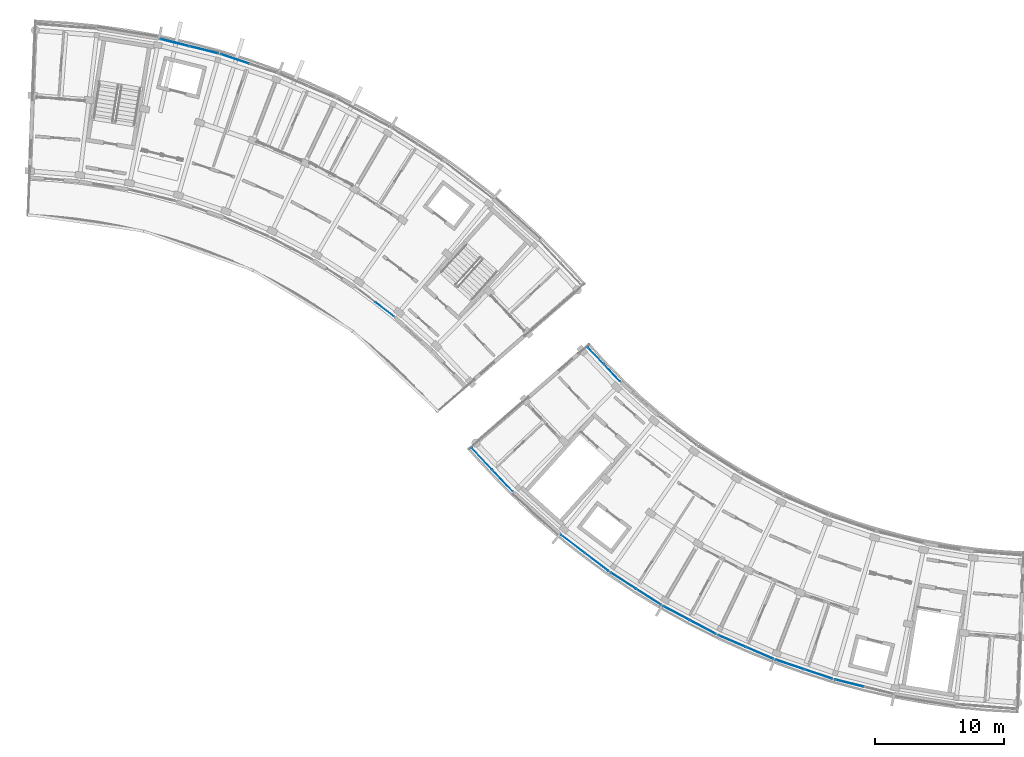
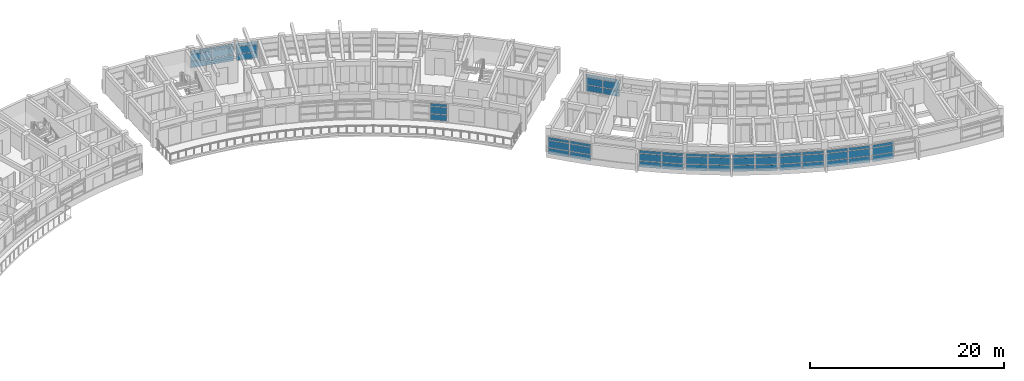
# One storey, part 17 of 38: 57 plates, 11 elements without a shape of their own.
"""IFC4 building model written with IfcOpenShell, lengths in metres."""

from ifc_helpers import new_model, si_unit, direction, frame, origin, origin_2d, place, context, subcontext, project, spatial, rectangle, extrude, material, layer, layer_set, type_object, element, aggregate, save


model = new_model("IFC4")

# Units and contexts
model_context = context("Model", 3, precision=1e-05, world=origin(), true_north=direction((0.0, 1.0)))
body_context = subcontext(model_context, "Body", "Model", "MODEL_VIEW")
ifc_project = project(units=[si_unit("LENGTHUNIT", "METRE"), si_unit("AREAUNIT", "SQUARE_METRE"), si_unit("VOLUMEUNIT", "CUBIC_METRE"), si_unit("PLANEANGLEUNIT", "RADIAN"), si_unit("MASSUNIT", "GRAM", prefix="KILO")], contexts=[model_context])

# Site, building, storey
site_placement = place(None, origin())
site = spatial("IfcSite", under=ifc_project, at=site_placement, CompositionType="ELEMENT")
building_placement = place(site_placement, origin())
building = spatial("IfcBuilding", under=site, at=building_placement, Name="Zimvara Arc Housing Community", CompositionType="ELEMENT")
storey_placement = place(building_placement, frame((0.0, 0.0, 29.800048828125)))
storey = spatial("IfcBuildingStorey", under=building, at=storey_placement, Name="L09", CompositionType="ELEMENT", Elevation=29.800048828125)

# Curtain wall, plates
ifc_material_1 = material(Name="Anodised Aluminium AW-6063", Category="aluminium")
curtain_wall_type_1 = type_object("IfcCurtainWallType", Name="CW-SYS-04", PredefinedType="USERDEFINED", material=ifc_material_1)
curtain_wall_1_placement = place(storey_placement, origin())
curtain_wall_1 = element("IfcCurtainWall", 1, at=curtain_wall_1_placement, inside=storey, type_object=curtain_wall_type_1, Name="cw:blkB:L09:out:b2", ObjectType="CURTAIN WALL", PredefinedType="USERDEFINED")
ifc_material_2 = material(Name="Pale-Gold Anodised Aluminium Spandrel Panel", Category="aluminium")
ifc_layer_1 = layer(ifc_material_2, 0.035888671875)
ifc_layer_set_1 = layer_set([ifc_layer_1], Name="Pale-Gold Anodised Aluminium Spandrel Panel")
plate_type_1 = type_object("IfcPlateType", Name="CWP-GLD-36", PredefinedType="CURTAIN_PANEL", material=ifc_layer_set_1)
plate_1_placement = place(storey_placement, frame((58.12109375, 102.373291015625, 0.06494140625), z_axis=(0.0, 0.0, 1.0), x_axis=(0.970716068627, -0.240229711131, 0.0)))
plate_1 = element("IfcPlate", 2, at=plate_1_placement, type_object=plate_type_1, Name="CW04 panel 1.1", PredefinedType="CURTAIN_PANEL", context=body_context, shape_type="SweptSolid", body=[
    extrude(rectangle(XDim=2.266845703125, YDim=0.035888671875, at=origin_2d()), origin(), (0.0, 0.0, 1.0), 0.75244140625),
])
plate_2_placement = place(storey_placement, frame((58.12109375, 102.373291015625, 0.88232421875), z_axis=(0.0, 0.0, 1.0), x_axis=(0.970716068627, -0.240229711131, 0.0)))
plate_2 = element("IfcPlate", 3, at=plate_2_placement, type_object=plate_type_1, Name="CW04 panel 1.2", PredefinedType="CURTAIN_PANEL", context=body_context, shape_type="SweptSolid", body=[
    extrude(rectangle(XDim=2.266845703125, YDim=0.035888671875, at=origin_2d()), origin(), (0.0, 0.0, 1.0), 0.885009765625),
])
plate_3_placement = place(storey_placement, frame((58.12109375, 102.373291015625, 1.83251953125), z_axis=(0.0, 0.0, 1.0), x_axis=(0.970716068627, -0.240229711131, 0.0)))
plate_3 = element("IfcPlate", 4, at=plate_3_placement, type_object=plate_type_1, Name="CW04 panel 1.3", PredefinedType="CURTAIN_PANEL", context=body_context, shape_type="SweptSolid", body=[
    extrude(rectangle(XDim=2.266845703125, YDim=0.035888671875, at=origin_2d()), origin(), (0.0, 0.0, 1.0), 0.3525390625),
])
plate_4_placement = place(storey_placement, frame((60.384765625, 101.81298828125, 0.06494140625), z_axis=(0.0, 0.0, 1.0), x_axis=(0.970716068627, -0.240229711131, 0.0)))
plate_4 = element("IfcPlate", 5, at=plate_4_placement, type_object=plate_type_1, Name="CW04 panel 2.1", PredefinedType="CURTAIN_PANEL", context=body_context, shape_type="SweptSolid", body=[
    extrude(rectangle(XDim=2.266845703125, YDim=0.035888671875, at=origin_2d()), origin(), (0.0, 0.0, 1.0), 0.75244140625),
])
plate_5_placement = place(storey_placement, frame((60.384765625, 101.81298828125, 0.88232421875), z_axis=(0.0, 0.0, 1.0), x_axis=(0.970716068627, -0.240229711131, 0.0)))
plate_5 = element("IfcPlate", 6, at=plate_5_placement, type_object=plate_type_1, Name="CW04 panel 2.2", PredefinedType="CURTAIN_PANEL", context=body_context, shape_type="SweptSolid", body=[
    extrude(rectangle(XDim=2.266845703125, YDim=0.035888671875, at=origin_2d()), origin(), (0.0, 0.0, 1.0), 0.885009765625),
])
plate_6_placement = place(storey_placement, frame((60.384765625, 101.81298828125, 1.83251953125), z_axis=(0.0, 0.0, 1.0), x_axis=(0.970716068627, -0.240229711131, 0.0)))
plate_6 = element("IfcPlate", 7, at=plate_6_placement, type_object=plate_type_1, Name="CW04 panel 2.3", PredefinedType="CURTAIN_PANEL", context=body_context, shape_type="SweptSolid", body=[
    extrude(rectangle(XDim=2.266845703125, YDim=0.035888671875, at=origin_2d()), origin(), (0.0, 0.0, 1.0), 0.3525390625),
])
aggregate(curtain_wall_1, [plate_1, plate_2, plate_3, plate_4, plate_5, plate_6])

ifc_material_3 = material(Name="Anodised Aluminium AW-6063", Category="aluminium")
curtain_wall_type_2 = type_object("IfcCurtainWallType", Name="CW-SYS-05", PredefinedType="USERDEFINED", material=ifc_material_3)
curtain_wall_2_placement = place(storey_placement, origin())
curtain_wall_2 = element("IfcCurtainWall", 8, at=curtain_wall_2_placement, inside=storey, type_object=curtain_wall_type_2, Name="cw:blkB:L09:in:b7", ObjectType="CURTAIN WALL", PredefinedType="USERDEFINED")
ifc_material_4 = material(Name="Solar Control Low-E Double Glazing", Category="glass")
ifc_layer_2 = layer(ifc_material_4, 0.02392578125)
ifc_layer_set_2 = layer_set([ifc_layer_2], Name="Solar Control Low-E Double Glazing")
plate_type_2 = type_object("IfcPlateType", Name="CWP-GLZ-24", PredefinedType="CURTAIN_PANEL", material=ifc_layer_set_2)
plate_7_placement = place(storey_placement, frame((74.4453125, 81.63134765625, 0.06494140625), z_axis=(0.0, 0.0, 1.0), x_axis=(0.795473930895, -0.605987809503, 0.0)))
plate_7 = element("IfcPlate", 9, at=plate_7_placement, type_object=plate_type_2, Name="CW05 panel 2.1", PredefinedType="CURTAIN_PANEL", context=body_context, shape_type="SweptSolid", body=[
    extrude(rectangle(XDim=1.778564453125, YDim=0.02392578125, at=origin_2d()), origin(), (0.0, 0.0, 1.0), 0.75244140625),
])
plate_8_placement = place(storey_placement, frame((74.4453125, 81.63134765625, 0.88232421875), z_axis=(0.0, 0.0, 1.0), x_axis=(0.795473930895, -0.605987809503, 0.0)))
plate_8 = element("IfcPlate", 10, at=plate_8_placement, type_object=plate_type_2, Name="CW05 panel 2.2", PredefinedType="CURTAIN_PANEL", context=body_context, shape_type="SweptSolid", body=[
    extrude(rectangle(XDim=1.778564453125, YDim=0.02392578125, at=origin_2d()), origin(), (0.0, 0.0, 1.0), 0.885009765625),
])
plate_9_placement = place(storey_placement, frame((74.4453125, 81.63134765625, 1.83251953125), z_axis=(0.0, 0.0, 1.0), x_axis=(0.795473930895, -0.605987809503, 0.0)))
plate_9 = element("IfcPlate", 11, at=plate_9_placement, type_object=plate_type_2, Name="CW05 panel 2.3", PredefinedType="CURTAIN_PANEL", context=body_context, shape_type="SweptSolid", body=[
    extrude(rectangle(XDim=1.778564453125, YDim=0.02392578125, at=origin_2d()), origin(), (0.0, 0.0, 1.0), 0.3525390625),
])
aggregate(curtain_wall_2, [plate_7, plate_8, plate_9])

curtain_wall_3_placement = place(storey_placement, origin())
curtain_wall_3 = element("IfcCurtainWall", 12, at=curtain_wall_3_placement, inside=storey, type_object=curtain_wall_type_2, Name="cw:blkC:L09:out:b0", ObjectType="CURTAIN WALL", PredefinedType="USERDEFINED")
plate_10_placement = place(storey_placement, frame((82.029052734375, 69.988037109375, 0.06494140625), z_axis=(0.0, 0.0, 1.0), x_axis=(0.686326416495, -0.727293647725, 0.0)))
plate_10 = element("IfcPlate", 13, at=plate_10_placement, type_object=plate_type_2, Name="CW05 panel 1.1", PredefinedType="CURTAIN_PANEL", context=body_context, shape_type="SweptSolid", body=[
    extrude(rectangle(XDim=2.266845703125, YDim=0.02392578125, at=origin_2d()), origin(), (0.0, 0.0, 1.0), 0.75244140625),
])
plate_11_placement = place(storey_placement, frame((82.029052734375, 69.988037109375, 0.88232421875), z_axis=(0.0, 0.0, 1.0), x_axis=(0.686326416495, -0.727293647725, 0.0)))
plate_11 = element("IfcPlate", 14, at=plate_11_placement, type_object=plate_type_2, Name="CW05 panel 1.2", PredefinedType="CURTAIN_PANEL", context=body_context, shape_type="SweptSolid", body=[
    extrude(rectangle(XDim=2.266845703125, YDim=0.02392578125, at=origin_2d()), origin(), (0.0, 0.0, 1.0), 0.885009765625),
])
plate_12_placement = place(storey_placement, frame((82.029052734375, 69.988037109375, 1.83251953125), z_axis=(0.0, 0.0, 1.0), x_axis=(0.686326416495, -0.727293647725, 0.0)))
plate_12 = element("IfcPlate", 15, at=plate_12_placement, type_object=plate_type_2, Name="CW05 panel 1.3", PredefinedType="CURTAIN_PANEL", context=body_context, shape_type="SweptSolid", body=[
    extrude(rectangle(XDim=2.266845703125, YDim=0.02392578125, at=origin_2d()), origin(), (0.0, 0.0, 1.0), 0.3525390625),
])
plate_13_placement = place(storey_placement, frame((83.629638671875, 68.2919921875, 0.06494140625), z_axis=(0.0, 0.0, 1.0), x_axis=(0.686326416495, -0.727293647725, 0.0)))
plate_13 = element("IfcPlate", 16, at=plate_13_placement, type_object=plate_type_2, Name="CW05 panel 2.1", PredefinedType="CURTAIN_PANEL", context=body_context, shape_type="SweptSolid", body=[
    extrude(rectangle(XDim=2.266845703125, YDim=0.02392578125, at=origin_2d()), origin(), (0.0, 0.0, 1.0), 0.75244140625),
])
plate_14_placement = place(storey_placement, frame((83.629638671875, 68.2919921875, 0.88232421875), z_axis=(0.0, 0.0, 1.0), x_axis=(0.686326416495, -0.727293647725, 0.0)))
plate_14 = element("IfcPlate", 17, at=plate_14_placement, type_object=plate_type_2, Name="CW05 panel 2.2", PredefinedType="CURTAIN_PANEL", context=body_context, shape_type="SweptSolid", body=[
    extrude(rectangle(XDim=2.266845703125, YDim=0.02392578125, at=origin_2d()), origin(), (0.0, 0.0, 1.0), 0.885009765625),
])
plate_15_placement = place(storey_placement, frame((83.629638671875, 68.2919921875, 1.83251953125), z_axis=(0.0, 0.0, 1.0), x_axis=(0.686326416495, -0.727293647725, 0.0)))
plate_15 = element("IfcPlate", 18, at=plate_15_placement, type_object=plate_type_2, Name="CW05 panel 2.3", PredefinedType="CURTAIN_PANEL", context=body_context, shape_type="SweptSolid", body=[
    extrude(rectangle(XDim=2.266845703125, YDim=0.02392578125, at=origin_2d()), origin(), (0.0, 0.0, 1.0), 0.3525390625),
])
aggregate(curtain_wall_3, [plate_10, plate_11, plate_12, plate_13, plate_14, plate_15])

ifc_material_5 = material(Name="Anodised Aluminium AW-6063", Category="aluminium")
curtain_wall_type_3 = type_object("IfcCurtainWallType", Name="CW-SYS-01", PredefinedType="USERDEFINED", material=ifc_material_5)
curtain_wall_4_placement = place(storey_placement, origin())
curtain_wall_4 = element("IfcCurtainWall", 19, at=curtain_wall_4_placement, inside=storey, type_object=curtain_wall_type_3, Name="cw:blkC:L09:out:b3", ObjectType="CURTAIN WALL", PredefinedType="USERDEFINED")
plate_16_placement = place(storey_placement, frame((93.014892578125, 60.5166015625, 0.06494140625), z_axis=(0.0, 0.0, 1.0), x_axis=(0.842264410931, -0.539064617721, 0.0)))
plate_16 = element("IfcPlate", 20, at=plate_16_placement, type_object=plate_type_2, Name="CW01 panel 1.1", PredefinedType="CURTAIN_PANEL", context=body_context, shape_type="SweptSolid", body=[
    extrude(rectangle(XDim=2.266845703125, YDim=0.02392578125, at=origin_2d()), origin(), (0.0, 0.0, 1.0), 0.75244140625),
])
plate_17_placement = place(storey_placement, frame((93.014892578125, 60.5166015625, 0.88232421875), z_axis=(0.0, 0.0, 1.0), x_axis=(0.842264410931, -0.539064617721, 0.0)))
plate_17 = element("IfcPlate", 21, at=plate_17_placement, type_object=plate_type_2, Name="CW01 panel 1.2", PredefinedType="CURTAIN_PANEL", context=body_context, shape_type="SweptSolid", body=[
    extrude(rectangle(XDim=2.266845703125, YDim=0.02392578125, at=origin_2d()), origin(), (0.0, 0.0, 1.0), 0.885009765625),
])
plate_18_placement = place(storey_placement, frame((93.014892578125, 60.5166015625, 1.83251953125), z_axis=(0.0, 0.0, 1.0), x_axis=(0.842264410931, -0.539064617721, 0.0)))
plate_18 = element("IfcPlate", 22, at=plate_18_placement, type_object=plate_type_2, Name="CW01 panel 1.3", PredefinedType="CURTAIN_PANEL", context=body_context, shape_type="SweptSolid", body=[
    extrude(rectangle(XDim=2.266845703125, YDim=0.02392578125, at=origin_2d()), origin(), (0.0, 0.0, 1.0), 0.3525390625),
])
plate_19_placement = place(storey_placement, frame((94.97900390625, 59.259521484375, 0.06494140625), z_axis=(0.0, 0.0, 1.0), x_axis=(0.842264410931, -0.539064617721, 0.0)))
plate_19 = element("IfcPlate", 23, at=plate_19_placement, type_object=plate_type_2, Name="CW01 panel 2.1", PredefinedType="CURTAIN_PANEL", context=body_context, shape_type="SweptSolid", body=[
    extrude(rectangle(XDim=2.266845703125, YDim=0.02392578125, at=origin_2d()), origin(), (0.0, 0.0, 1.0), 0.75244140625),
])
plate_20_placement = place(storey_placement, frame((94.97900390625, 59.259521484375, 0.88232421875), z_axis=(0.0, 0.0, 1.0), x_axis=(0.842264410931, -0.539064617721, 0.0)))
plate_20 = element("IfcPlate", 24, at=plate_20_placement, type_object=plate_type_2, Name="CW01 panel 2.2", PredefinedType="CURTAIN_PANEL", context=body_context, shape_type="SweptSolid", body=[
    extrude(rectangle(XDim=2.266845703125, YDim=0.02392578125, at=origin_2d()), origin(), (0.0, 0.0, 1.0), 0.885009765625),
])
plate_21_placement = place(storey_placement, frame((94.97900390625, 59.259521484375, 1.83251953125), z_axis=(0.0, 0.0, 1.0), x_axis=(0.842264410931, -0.539064617721, 0.0)))
plate_21 = element("IfcPlate", 25, at=plate_21_placement, type_object=plate_type_2, Name="CW01 panel 2.3", PredefinedType="CURTAIN_PANEL", context=body_context, shape_type="SweptSolid", body=[
    extrude(rectangle(XDim=2.266845703125, YDim=0.02392578125, at=origin_2d()), origin(), (0.0, 0.0, 1.0), 0.3525390625),
])
aggregate(curtain_wall_4, [plate_16, plate_17, plate_18, plate_19, plate_20, plate_21])

curtain_wall_5_placement = place(storey_placement, origin())
curtain_wall_5 = element("IfcCurtainWall", 26, at=curtain_wall_5_placement, inside=storey, type_object=curtain_wall_type_2, Name="cw:blkC:L09:out:b5", ObjectType="CURTAIN WALL", PredefinedType="USERDEFINED")
plate_22_placement = place(storey_placement, frame((101.47900390625, 55.812255859375, 0.06494140625), z_axis=(0.0, 0.0, 1.0), x_axis=(0.918722299363, -0.394904211998, 0.0)))
plate_22 = element("IfcPlate", 27, at=plate_22_placement, type_object=plate_type_2, Name="CW05 panel 1.1", PredefinedType="CURTAIN_PANEL", context=body_context, shape_type="SweptSolid", body=[
    extrude(rectangle(XDim=2.266845703125, YDim=0.02392578125, at=origin_2d()), origin(), (0.0, 0.0, 1.0), 0.75244140625),
])
plate_23_placement = place(storey_placement, frame((101.47900390625, 55.812255859375, 0.88232421875), z_axis=(0.0, 0.0, 1.0), x_axis=(0.918722299363, -0.394904211998, 0.0)))
plate_23 = element("IfcPlate", 28, at=plate_23_placement, type_object=plate_type_2, Name="CW05 panel 1.2", PredefinedType="CURTAIN_PANEL", context=body_context, shape_type="SweptSolid", body=[
    extrude(rectangle(XDim=2.266845703125, YDim=0.02392578125, at=origin_2d()), origin(), (0.0, 0.0, 1.0), 0.885009765625),
])
plate_24_placement = place(storey_placement, frame((101.47900390625, 55.812255859375, 1.83251953125), z_axis=(0.0, 0.0, 1.0), x_axis=(0.918722299363, -0.394904211998, 0.0)))
plate_24 = element("IfcPlate", 29, at=plate_24_placement, type_object=plate_type_2, Name="CW05 panel 1.3", PredefinedType="CURTAIN_PANEL", context=body_context, shape_type="SweptSolid", body=[
    extrude(rectangle(XDim=2.266845703125, YDim=0.02392578125, at=origin_2d()), origin(), (0.0, 0.0, 1.0), 0.3525390625),
])
plate_25_placement = place(storey_placement, frame((103.621337890625, 54.891357421875, 0.06494140625), z_axis=(0.0, 0.0, 1.0), x_axis=(0.918722299363, -0.394904211998, 0.0)))
plate_25 = element("IfcPlate", 30, at=plate_25_placement, type_object=plate_type_2, Name="CW05 panel 2.1", PredefinedType="CURTAIN_PANEL", context=body_context, shape_type="SweptSolid", body=[
    extrude(rectangle(XDim=2.266845703125, YDim=0.02392578125, at=origin_2d()), origin(), (0.0, 0.0, 1.0), 0.75244140625),
])
plate_26_placement = place(storey_placement, frame((103.621337890625, 54.891357421875, 0.88232421875), z_axis=(0.0, 0.0, 1.0), x_axis=(0.918722299363, -0.394904211998, 0.0)))
plate_26 = element("IfcPlate", 31, at=plate_26_placement, type_object=plate_type_2, Name="CW05 panel 2.2", PredefinedType="CURTAIN_PANEL", context=body_context, shape_type="SweptSolid", body=[
    extrude(rectangle(XDim=2.266845703125, YDim=0.02392578125, at=origin_2d()), origin(), (0.0, 0.0, 1.0), 0.885009765625),
])
plate_27_placement = place(storey_placement, frame((103.621337890625, 54.891357421875, 1.83251953125), z_axis=(0.0, 0.0, 1.0), x_axis=(0.918722299363, -0.394904211998, 0.0)))
plate_27 = element("IfcPlate", 32, at=plate_27_placement, type_object=plate_type_2, Name="CW05 panel 2.3", PredefinedType="CURTAIN_PANEL", context=body_context, shape_type="SweptSolid", body=[
    extrude(rectangle(XDim=2.266845703125, YDim=0.02392578125, at=origin_2d()), origin(), (0.0, 0.0, 1.0), 0.3525390625),
])
aggregate(curtain_wall_5, [plate_22, plate_23, plate_24, plate_25, plate_26, plate_27])

curtain_wall_6_placement = place(storey_placement, origin())
curtain_wall_6 = element("IfcCurtainWall", 33, at=curtain_wall_6_placement, inside=storey, type_object=curtain_wall_type_3, Name="cw:blkC:L09:out:b7", ObjectType="CURTAIN WALL", PredefinedType="USERDEFINED")
plate_28_placement = place(storey_placement, frame((110.59521484375, 52.547119140625, 0.06494140625), z_axis=(0.0, 0.0, 1.0), x_axis=(0.970716068627, -0.240229711131, 0.0)))
plate_28 = element("IfcPlate", 34, at=plate_28_placement, type_object=plate_type_2, Name="CW01 panel 1.1", PredefinedType="CURTAIN_PANEL", context=body_context, shape_type="SweptSolid", body=[
    extrude(rectangle(XDim=2.266845703125, YDim=0.02392578125, at=origin_2d()), origin(), (0.0, 0.0, 1.0), 0.75244140625),
])
plate_29_placement = place(storey_placement, frame((110.59521484375, 52.547119140625, 0.88232421875), z_axis=(0.0, 0.0, 1.0), x_axis=(0.970716068627, -0.240229711131, 0.0)))
plate_29 = element("IfcPlate", 35, at=plate_29_placement, type_object=plate_type_2, Name="CW01 panel 1.2", PredefinedType="CURTAIN_PANEL", context=body_context, shape_type="SweptSolid", body=[
    extrude(rectangle(XDim=2.266845703125, YDim=0.02392578125, at=origin_2d()), origin(), (0.0, 0.0, 1.0), 0.885009765625),
])
plate_30_placement = place(storey_placement, frame((110.59521484375, 52.547119140625, 1.83251953125), z_axis=(0.0, 0.0, 1.0), x_axis=(0.970716068627, -0.240229711131, 0.0)))
plate_30 = element("IfcPlate", 36, at=plate_30_placement, type_object=plate_type_2, Name="CW01 panel 1.3", PredefinedType="CURTAIN_PANEL", context=body_context, shape_type="SweptSolid", body=[
    extrude(rectangle(XDim=2.266845703125, YDim=0.02392578125, at=origin_2d()), origin(), (0.0, 0.0, 1.0), 0.3525390625),
])
aggregate(curtain_wall_6, [plate_28, plate_29, plate_30])

ifc_material_6 = material(Name="Anodised Aluminium AW-6063", Category="aluminium")
curtain_wall_type_4 = type_object("IfcCurtainWallType", Name="CW-SYS-06", PredefinedType="USERDEFINED", material=ifc_material_6)
curtain_wall_7_placement = place(storey_placement, origin())
curtain_wall_7 = element("IfcCurtainWall", 37, at=curtain_wall_7_placement, inside=storey, type_object=curtain_wall_type_4, Name="cw:blkB:L09:out:b3", ObjectType="CURTAIN WALL", PredefinedType="USERDEFINED")
ifc_material_7 = material(Name="Solar Control Low-E Double Glazing", Category="glass")
ifc_layer_3 = layer(ifc_material_7, 0.028076171875)
ifc_layer_set_3 = layer_set([ifc_layer_3], Name="Solar Control Low-E Double Glazing")
plate_type_3 = type_object("IfcPlateType", Name="CWP-GLZ-28", PredefinedType="CURTAIN_PANEL", material=ifc_layer_set_3)
plate_31_placement = place(storey_placement, frame((62.799072265625, 101.109619140625, 0.06494140625), z_axis=(0.0, 0.0, 1.0), x_axis=(0.947879647164, -0.318628583921, 0.0)))
plate_31 = element("IfcPlate", 38, at=plate_31_placement, type_object=plate_type_3, Name="CW06 panel 1.1", PredefinedType="CURTAIN_PANEL", context=body_context, shape_type="SweptSolid", body=[
    extrude(rectangle(XDim=2.266845703125, YDim=0.028076171875, at=origin_2d()), origin(), (0.0, 0.0, 1.0), 0.75244140625),
])
plate_32_placement = place(storey_placement, frame((62.799072265625, 101.109619140625, 0.88232421875), z_axis=(0.0, 0.0, 1.0), x_axis=(0.947879647164, -0.318628583921, 0.0)))
plate_32 = element("IfcPlate", 39, at=plate_32_placement, type_object=plate_type_3, Name="CW06 panel 1.2", PredefinedType="CURTAIN_PANEL", context=body_context, shape_type="SweptSolid", body=[
    extrude(rectangle(XDim=2.266845703125, YDim=0.028076171875, at=origin_2d()), origin(), (0.0, 0.0, 1.0), 0.885009765625),
])
plate_33_placement = place(storey_placement, frame((62.799072265625, 101.109619140625, 1.83251953125), z_axis=(0.0, 0.0, 1.0), x_axis=(0.947879647164, -0.318628583921, 0.0)))
plate_33 = element("IfcPlate", 40, at=plate_33_placement, type_object=plate_type_3, Name="CW06 panel 1.3", PredefinedType="CURTAIN_PANEL", context=body_context, shape_type="SweptSolid", body=[
    extrude(rectangle(XDim=2.266845703125, YDim=0.028076171875, at=origin_2d()), origin(), (0.0, 0.0, 1.0), 0.3525390625),
])
aggregate(curtain_wall_7, [plate_31, plate_32, plate_33])

curtain_wall_8_placement = place(storey_placement, origin())
curtain_wall_8 = element("IfcCurtainWall", 41, at=curtain_wall_8_placement, inside=storey, type_object=curtain_wall_type_4, Name="cw:blkC:L09:in:b0", ObjectType="CURTAIN WALL", PredefinedType="USERDEFINED")
plate_34_placement = place(storey_placement, frame((90.887939453125, 78.011962890625, 0.06494140625), z_axis=(0.0, 0.0, 1.0), x_axis=(0.686326336018, -0.727293723669, 0.0)))
plate_34 = element("IfcPlate", 42, at=plate_34_placement, type_object=plate_type_3, Name="CW06 panel 1.1", PredefinedType="CURTAIN_PANEL", context=body_context, shape_type="SweptSolid", body=[
    extrude(rectangle(XDim=1.778564453125, YDim=0.028076171875, at=origin_2d()), origin(), (0.0, 0.0, 1.0), 0.75244140625),
])
plate_35_placement = place(storey_placement, frame((90.887939453125, 78.011962890625, 0.88232421875), z_axis=(0.0, 0.0, 1.0), x_axis=(0.686326336018, -0.727293723669, 0.0)))
plate_35 = element("IfcPlate", 43, at=plate_35_placement, type_object=plate_type_3, Name="CW06 panel 1.2", PredefinedType="CURTAIN_PANEL", context=body_context, shape_type="SweptSolid", body=[
    extrude(rectangle(XDim=1.778564453125, YDim=0.028076171875, at=origin_2d()), origin(), (0.0, 0.0, 1.0), 0.885009765625),
])
plate_36_placement = place(storey_placement, frame((90.887939453125, 78.011962890625, 1.83251953125), z_axis=(0.0, 0.0, 1.0), x_axis=(0.686326336018, -0.727293723669, 0.0)))
plate_36 = element("IfcPlate", 44, at=plate_36_placement, type_object=plate_type_3, Name="CW06 panel 1.3", PredefinedType="CURTAIN_PANEL", context=body_context, shape_type="SweptSolid", body=[
    extrude(rectangle(XDim=1.778564453125, YDim=0.028076171875, at=origin_2d()), origin(), (0.0, 0.0, 1.0), 0.3525390625),
])
plate_37_placement = place(storey_placement, frame((92.153076171875, 76.671142578125, 0.06494140625), z_axis=(0.0, 0.0, 1.0), x_axis=(0.686326336018, -0.727293723669, 0.0)))
plate_37 = element("IfcPlate", 45, at=plate_37_placement, type_object=plate_type_3, Name="CW06 panel 2.1", PredefinedType="CURTAIN_PANEL", context=body_context, shape_type="SweptSolid", body=[
    extrude(rectangle(XDim=1.778564453125, YDim=0.028076171875, at=origin_2d()), origin(), (0.0, 0.0, 1.0), 0.75244140625),
])
plate_38_placement = place(storey_placement, frame((92.153076171875, 76.671142578125, 0.88232421875), z_axis=(0.0, 0.0, 1.0), x_axis=(0.686326336018, -0.727293723669, 0.0)))
plate_38 = element("IfcPlate", 46, at=plate_38_placement, type_object=plate_type_3, Name="CW06 panel 2.2", PredefinedType="CURTAIN_PANEL", context=body_context, shape_type="SweptSolid", body=[
    extrude(rectangle(XDim=1.778564453125, YDim=0.028076171875, at=origin_2d()), origin(), (0.0, 0.0, 1.0), 0.885009765625),
])
plate_39_placement = place(storey_placement, frame((92.153076171875, 76.671142578125, 1.83251953125), z_axis=(0.0, 0.0, 1.0), x_axis=(0.686326336018, -0.727293723669, 0.0)))
plate_39 = element("IfcPlate", 47, at=plate_39_placement, type_object=plate_type_3, Name="CW06 panel 2.3", PredefinedType="CURTAIN_PANEL", context=body_context, shape_type="SweptSolid", body=[
    extrude(rectangle(XDim=1.778564453125, YDim=0.028076171875, at=origin_2d()), origin(), (0.0, 0.0, 1.0), 0.3525390625),
])
aggregate(curtain_wall_8, [plate_34, plate_35, plate_36, plate_37, plate_38, plate_39])

ifc_material_8 = material(Name="Anodised Aluminium AW-6063", Category="aluminium")
curtain_wall_type_5 = type_object("IfcCurtainWallType", Name="CW-SYS-07", PredefinedType="USERDEFINED", material=ifc_material_8)
curtain_wall_9_placement = place(storey_placement, origin())
curtain_wall_9 = element("IfcCurtainWall", 48, at=curtain_wall_9_placement, inside=storey, type_object=curtain_wall_type_5, Name="cw:blkC:L09:out:b2", ObjectType="CURTAIN WALL", PredefinedType="USERDEFINED")
ifc_material_9 = material(Name="Acoustic Laminated Solar Glazing", Category="glass")
ifc_layer_4 = layer(ifc_material_9, 0.031982421875)
ifc_layer_set_4 = layer_set([ifc_layer_4], Name="Acoustic Laminated Solar Glazing")
plate_type_4 = type_object("IfcPlateType", Name="CWP-GLZ-32", PredefinedType="CURTAIN_PANEL", material=ifc_layer_set_4)
plate_40_placement = place(storey_placement, frame((89.098876953125, 63.370849609375, 0.06494140625), z_axis=(0.0, 0.0, 1.0), x_axis=(0.795473999177, -0.60598771987, 0.0)))
plate_40 = element("IfcPlate", 49, at=plate_40_placement, type_object=plate_type_4, Name="CW07 panel 1.1", PredefinedType="CURTAIN_PANEL", context=body_context, shape_type="SweptSolid", body=[
    extrude(rectangle(XDim=2.266845703125, YDim=0.031982421875, at=origin_2d()), origin(), (0.0, 0.0, 1.0), 0.75244140625),
])
plate_41_placement = place(storey_placement, frame((89.098876953125, 63.370849609375, 0.88232421875), z_axis=(0.0, 0.0, 1.0), x_axis=(0.795473999177, -0.60598771987, 0.0)))
plate_41 = element("IfcPlate", 50, at=plate_41_placement, type_object=plate_type_4, Name="CW07 panel 1.2", PredefinedType="CURTAIN_PANEL", context=body_context, shape_type="SweptSolid", body=[
    extrude(rectangle(XDim=2.266845703125, YDim=0.031982421875, at=origin_2d()), origin(), (0.0, 0.0, 1.0), 0.885009765625),
])
plate_42_placement = place(storey_placement, frame((89.098876953125, 63.370849609375, 1.83251953125), z_axis=(0.0, 0.0, 1.0), x_axis=(0.795473999177, -0.60598771987, 0.0)))
plate_42 = element("IfcPlate", 51, at=plate_42_placement, type_object=plate_type_4, Name="CW07 panel 1.3", PredefinedType="CURTAIN_PANEL", context=body_context, shape_type="SweptSolid", body=[
    extrude(rectangle(XDim=2.266845703125, YDim=0.031982421875, at=origin_2d()), origin(), (0.0, 0.0, 1.0), 0.3525390625),
])
plate_43_placement = place(storey_placement, frame((90.953857421875, 61.95751953125, 0.06494140625), z_axis=(0.0, 0.0, 1.0), x_axis=(0.795473999177, -0.60598771987, 0.0)))
plate_43 = element("IfcPlate", 52, at=plate_43_placement, type_object=plate_type_4, Name="CW07 panel 2.1", PredefinedType="CURTAIN_PANEL", context=body_context, shape_type="SweptSolid", body=[
    extrude(rectangle(XDim=2.266845703125, YDim=0.031982421875, at=origin_2d()), origin(), (0.0, 0.0, 1.0), 0.75244140625),
])
plate_44_placement = place(storey_placement, frame((90.953857421875, 61.95751953125, 0.88232421875), z_axis=(0.0, 0.0, 1.0), x_axis=(0.795473999177, -0.60598771987, 0.0)))
plate_44 = element("IfcPlate", 53, at=plate_44_placement, type_object=plate_type_4, Name="CW07 panel 2.2", PredefinedType="CURTAIN_PANEL", context=body_context, shape_type="SweptSolid", body=[
    extrude(rectangle(XDim=2.266845703125, YDim=0.031982421875, at=origin_2d()), origin(), (0.0, 0.0, 1.0), 0.885009765625),
])
plate_45_placement = place(storey_placement, frame((90.953857421875, 61.95751953125, 1.83251953125), z_axis=(0.0, 0.0, 1.0), x_axis=(0.795473999177, -0.60598771987, 0.0)))
plate_45 = element("IfcPlate", 54, at=plate_45_placement, type_object=plate_type_4, Name="CW07 panel 2.3", PredefinedType="CURTAIN_PANEL", context=body_context, shape_type="SweptSolid", body=[
    extrude(rectangle(XDim=2.266845703125, YDim=0.031982421875, at=origin_2d()), origin(), (0.0, 0.0, 1.0), 0.3525390625),
])
aggregate(curtain_wall_9, [plate_40, plate_41, plate_42, plate_43, plate_44, plate_45])

ifc_material_10 = material(Name="Anodised Aluminium AW-6063", Category="aluminium")
curtain_wall_type_6 = type_object("IfcCurtainWallType", Name="CW-SYS-03", PredefinedType="USERDEFINED", material=ifc_material_10)
curtain_wall_10_placement = place(storey_placement, origin())
curtain_wall_10 = element("IfcCurtainWall", 55, at=curtain_wall_10_placement, inside=storey, type_object=curtain_wall_type_6, Name="cw:blkC:L09:out:b4", ObjectType="CURTAIN WALL", PredefinedType="USERDEFINED")
plate_46_placement = place(storey_placement, frame((97.15087890625, 57.991455078125, 0.06494140625), z_axis=(0.0, 0.0, 1.0), x_axis=(0.883438614651, -0.468546917761, 0.0)))
plate_46 = element("IfcPlate", 56, at=plate_46_placement, type_object=plate_type_4, Name="CW03 panel 1.1", PredefinedType="CURTAIN_PANEL", context=body_context, shape_type="SweptSolid", body=[
    extrude(rectangle(XDim=2.266845703125, YDim=0.031982421875, at=origin_2d()), origin(), (0.0, 0.0, 1.0), 0.75244140625),
])
plate_47_placement = place(storey_placement, frame((97.15087890625, 57.991455078125, 0.88232421875), z_axis=(0.0, 0.0, 1.0), x_axis=(0.883438614651, -0.468546917761, 0.0)))
plate_47 = element("IfcPlate", 57, at=plate_47_placement, type_object=plate_type_4, Name="CW03 panel 1.2", PredefinedType="CURTAIN_PANEL", context=body_context, shape_type="SweptSolid", body=[
    extrude(rectangle(XDim=2.266845703125, YDim=0.031982421875, at=origin_2d()), origin(), (0.0, 0.0, 1.0), 0.885009765625),
])
plate_48_placement = place(storey_placement, frame((97.15087890625, 57.991455078125, 1.83251953125), z_axis=(0.0, 0.0, 1.0), x_axis=(0.883438614651, -0.468546917761, 0.0)))
plate_48 = element("IfcPlate", 58, at=plate_48_placement, type_object=plate_type_4, Name="CW03 panel 1.3", PredefinedType="CURTAIN_PANEL", context=body_context, shape_type="SweptSolid", body=[
    extrude(rectangle(XDim=2.266845703125, YDim=0.031982421875, at=origin_2d()), origin(), (0.0, 0.0, 1.0), 0.3525390625),
])
plate_49_placement = place(storey_placement, frame((99.2109375, 56.89892578125, 0.06494140625), z_axis=(0.0, 0.0, 1.0), x_axis=(0.883438614651, -0.468546917761, 0.0)))
plate_49 = element("IfcPlate", 59, at=plate_49_placement, type_object=plate_type_4, Name="CW03 panel 2.1", PredefinedType="CURTAIN_PANEL", context=body_context, shape_type="SweptSolid", body=[
    extrude(rectangle(XDim=2.266845703125, YDim=0.031982421875, at=origin_2d()), origin(), (0.0, 0.0, 1.0), 0.75244140625),
])
plate_50_placement = place(storey_placement, frame((99.2109375, 56.89892578125, 0.88232421875), z_axis=(0.0, 0.0, 1.0), x_axis=(0.883438614651, -0.468546917761, 0.0)))
plate_50 = element("IfcPlate", 60, at=plate_50_placement, type_object=plate_type_4, Name="CW03 panel 2.2", PredefinedType="CURTAIN_PANEL", context=body_context, shape_type="SweptSolid", body=[
    extrude(rectangle(XDim=2.266845703125, YDim=0.031982421875, at=origin_2d()), origin(), (0.0, 0.0, 1.0), 0.885009765625),
])
plate_51_placement = place(storey_placement, frame((99.2109375, 56.89892578125, 1.83251953125), z_axis=(0.0, 0.0, 1.0), x_axis=(0.883438614651, -0.468546917761, 0.0)))
plate_51 = element("IfcPlate", 61, at=plate_51_placement, type_object=plate_type_4, Name="CW03 panel 2.3", PredefinedType="CURTAIN_PANEL", context=body_context, shape_type="SweptSolid", body=[
    extrude(rectangle(XDim=2.266845703125, YDim=0.031982421875, at=origin_2d()), origin(), (0.0, 0.0, 1.0), 0.3525390625),
])
aggregate(curtain_wall_10, [plate_46, plate_47, plate_48, plate_49, plate_50, plate_51])

curtain_wall_11_placement = place(storey_placement, origin())
curtain_wall_11 = element("IfcCurtainWall", 62, at=curtain_wall_11_placement, inside=storey, type_object=curtain_wall_type_5, Name="cw:blkC:L09:out:b6", ObjectType="CURTAIN WALL", PredefinedType="USERDEFINED")
plate_52_placement = place(storey_placement, frame((105.970458984375, 53.993408203125, 0.06494140625), z_axis=(0.0, 0.0, 1.0), x_axis=(0.947879647164, -0.318628583921, 0.0)))
plate_52 = element("IfcPlate", 63, at=plate_52_placement, type_object=plate_type_4, Name="CW07 panel 1.1", PredefinedType="CURTAIN_PANEL", context=body_context, shape_type="SweptSolid", body=[
    extrude(rectangle(XDim=2.266845703125, YDim=0.031982421875, at=origin_2d()), origin(), (0.0, 0.0, 1.0), 0.75244140625),
])
plate_53_placement = place(storey_placement, frame((105.970458984375, 53.993408203125, 0.88232421875), z_axis=(0.0, 0.0, 1.0), x_axis=(0.947879647164, -0.318628583921, 0.0)))
plate_53 = element("IfcPlate", 64, at=plate_53_placement, type_object=plate_type_4, Name="CW07 panel 1.2", PredefinedType="CURTAIN_PANEL", context=body_context, shape_type="SweptSolid", body=[
    extrude(rectangle(XDim=2.266845703125, YDim=0.031982421875, at=origin_2d()), origin(), (0.0, 0.0, 1.0), 0.885009765625),
])
plate_54_placement = place(storey_placement, frame((105.970458984375, 53.993408203125, 1.83251953125), z_axis=(0.0, 0.0, 1.0), x_axis=(0.947879647164, -0.318628583921, 0.0)))
plate_54 = element("IfcPlate", 65, at=plate_54_placement, type_object=plate_type_4, Name="CW07 panel 1.3", PredefinedType="CURTAIN_PANEL", context=body_context, shape_type="SweptSolid", body=[
    extrude(rectangle(XDim=2.266845703125, YDim=0.031982421875, at=origin_2d()), origin(), (0.0, 0.0, 1.0), 0.3525390625),
])
plate_55_placement = place(storey_placement, frame((108.180908203125, 53.250244140625, 0.06494140625), z_axis=(0.0, 0.0, 1.0), x_axis=(0.947879647164, -0.318628583921, 0.0)))
plate_55 = element("IfcPlate", 66, at=plate_55_placement, type_object=plate_type_4, Name="CW07 panel 2.1", PredefinedType="CURTAIN_PANEL", context=body_context, shape_type="SweptSolid", body=[
    extrude(rectangle(XDim=2.266845703125, YDim=0.031982421875, at=origin_2d()), origin(), (0.0, 0.0, 1.0), 0.75244140625),
])
plate_56_placement = place(storey_placement, frame((108.180908203125, 53.250244140625, 0.88232421875), z_axis=(0.0, 0.0, 1.0), x_axis=(0.947879647164, -0.318628583921, 0.0)))
plate_56 = element("IfcPlate", 67, at=plate_56_placement, type_object=plate_type_4, Name="CW07 panel 2.2", PredefinedType="CURTAIN_PANEL", context=body_context, shape_type="SweptSolid", body=[
    extrude(rectangle(XDim=2.266845703125, YDim=0.031982421875, at=origin_2d()), origin(), (0.0, 0.0, 1.0), 0.885009765625),
])
plate_57_placement = place(storey_placement, frame((108.180908203125, 53.250244140625, 1.83251953125), z_axis=(0.0, 0.0, 1.0), x_axis=(0.947879647164, -0.318628583921, 0.0)))
plate_57 = element("IfcPlate", 68, at=plate_57_placement, type_object=plate_type_4, Name="CW07 panel 2.3", PredefinedType="CURTAIN_PANEL", context=body_context, shape_type="SweptSolid", body=[
    extrude(rectangle(XDim=2.266845703125, YDim=0.031982421875, at=origin_2d()), origin(), (0.0, 0.0, 1.0), 0.3525390625),
])
aggregate(curtain_wall_11, [plate_52, plate_53, plate_54, plate_55, plate_56, plate_57])

save(model, "model.ifc")
